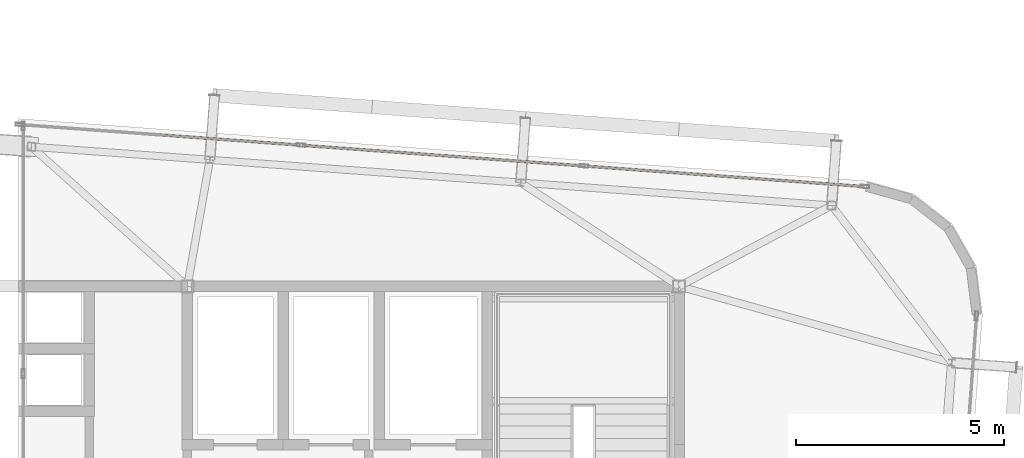
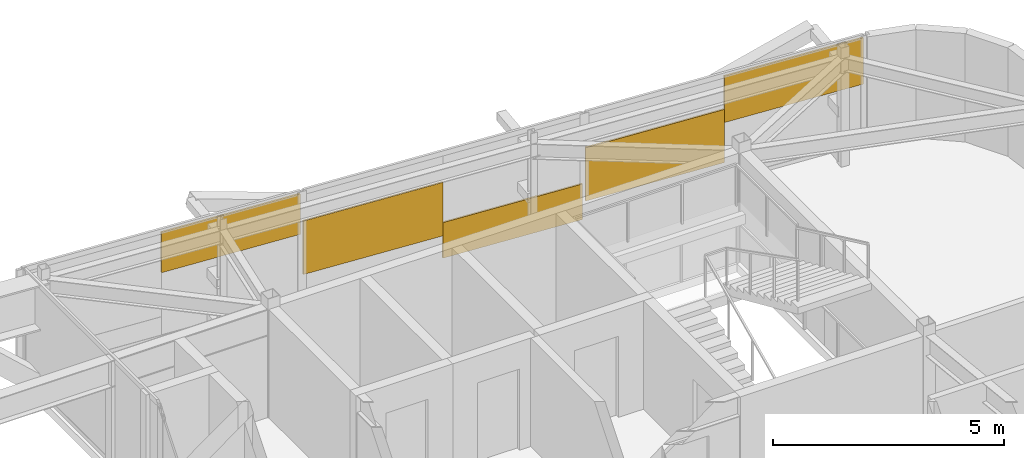
# One storey, part 40 of 40: 5 coverings.
"""IFC4 building model written with IfcOpenShell, lengths in metres."""

from ifc_helpers import new_model, si_unit, direction, frame, origin, origin_2d, place, context, subcontext, project, spatial, rectangle, extrude, source, transform, mapped, material, layer, layer_set, type_object, element, save


model = new_model("IFC4")

# Units and contexts
model_context = context("Model", 3, precision=1e-05, world=origin(), true_north=direction((0.0, 1.0)))
body_context = subcontext(model_context, "Body", "Model", "MODEL_VIEW")
ifc_project = project(units=[si_unit("LENGTHUNIT", "METRE"), si_unit("AREAUNIT", "SQUARE_METRE"), si_unit("VOLUMEUNIT", "CUBIC_METRE"), si_unit("PLANEANGLEUNIT", "RADIAN"), si_unit("MASSUNIT", "GRAM", prefix="KILO")], contexts=[model_context])

# Site, building, storey
site_placement = place(None, origin())
site = spatial("IfcSite", under=ifc_project, at=site_placement, CompositionType="ELEMENT")
building_placement = place(site_placement, origin())
building = spatial("IfcBuilding", under=site, at=building_placement, Name="Taldren Reach Tower", CompositionType="ELEMENT")
storey_placement = place(building_placement, frame((0.0, 0.0, 233.449951171875)))
storey = spatial("IfcBuildingStorey", under=building, at=storey_placement, Name="L71", CompositionType="ELEMENT", Elevation=233.449951171875)

# Coverings
ifc_material = material(Name="Pale Champagne Fluoropolymer Aluminium Spandrel Cladding", Category="aluminium")
ifc_layer = layer(ifc_material, 0.0439453125)
ifc_layer_set = layer_set([ifc_layer], Name="Pale Champagne Fluoropolymer Aluminium Spandrel Cladding")
covering_type = type_object("IfcCoveringType", Name="CV-CLAD-044", PredefinedType="CLADDING", material=ifc_layer_set)
shared_shape_1 = source(origin(), body_context, "Body", "SweptSolid", [
    extrude(rectangle(XDim=3.34375, YDim=0.0439453125, at=origin_2d()), origin(), (0.0, 0.0, 1.0), 1.22509765625),
])
covering_1_placement = place(storey_placement, frame((53.75244140625, 34.517822265625, 1.5849609375), z_axis=(0.0, 0.0, 1.0), x_axis=(-0.997314475893, 0.073238215265, 0.0)))
element("IfcCovering", 1, at=covering_1_placement, inside=storey, type_object=covering_type, Name="Diagrid closure cladding strip CW-7 panel 1.1 1", PredefinedType="CLADDING", context=body_context, shape_type="MappedRepresentation", body=[
    mapped(shared_shape_1, transform((0.0, 0.0, 0.0), scale=1.0)),
])
shared_shape_2 = source(origin(), body_context, "Body", "SweptSolid", [
    extrude(rectangle(XDim=3.34375, YDim=0.0439453125, at=origin_2d()), origin(), (0.0, 0.0, 1.0), 1.410400390625),
])
covering_2_placement = place(storey_placement, frame((50.417724609375, 34.7626953125, 0.525390625), z_axis=(0.0, 0.0, 1.0), x_axis=(-0.997314475893, 0.073238215265, 0.0)))
element("IfcCovering", 2, at=covering_2_placement, inside=storey, type_object=covering_type, Name="Diagrid closure cladding strip CW-7 panel 1.1 2", PredefinedType="CLADDING", context=body_context, shape_type="MappedRepresentation", body=[
    mapped(shared_shape_2, transform((0.0, 0.0, 0.0), scale=1.0)),
])
shared_shape_3 = source(origin(), body_context, "Body", "SweptSolid", [
    extrude(rectangle(XDim=3.3623046875, YDim=0.0439453125, at=origin_2d()), origin(), (0.0, 0.0, 1.0), 0.943603515625),
])
covering_3_placement = place(storey_placement, frame((46.9990234375, 35.013671875, 0.06005859375), z_axis=(0.0, 0.0, 1.0), x_axis=(-0.997314475893, 0.073238215265, 0.0)))
element("IfcCovering", 3, at=covering_3_placement, inside=storey, type_object=covering_type, Name="Diagrid closure cladding strip CW-7 panel 2.1 1", PredefinedType="CLADDING", context=body_context, shape_type="MappedRepresentation", body=[
    mapped(shared_shape_3, transform((0.0, 0.0, 0.0), scale=1.0)),
])
shared_shape_4 = source(origin(), body_context, "Body", "SweptSolid", [
    extrude(rectangle(XDim=3.3623046875, YDim=0.0439453125, at=origin_2d()), origin(), (0.0, 0.0, 1.0), 1.416259765625),
])
covering_4_placement = place(storey_placement, frame((43.6455078125, 35.260009765625, 0.65283203125), z_axis=(0.0, 0.0, 1.0), x_axis=(-0.997314475893, 0.073238215265, 0.0)))
element("IfcCovering", 4, at=covering_4_placement, inside=storey, type_object=covering_type, Name="Diagrid closure cladding strip CW-7 panel 2.1 2", PredefinedType="CLADDING", context=body_context, shape_type="MappedRepresentation", body=[
    mapped(shared_shape_4, transform((0.0, 0.0, 0.0), scale=1.0)),
])
shared_shape_5 = source(origin(), body_context, "Body", "SweptSolid", [
    extrude(rectangle(XDim=3.34375, YDim=0.0439453125, at=origin_2d()), origin(), (0.0, 0.0, 1.0), 1.068115234375),
])
covering_5_placement = place(storey_placement, frame((40.226806640625, 35.510986328125, 1.74169921875), z_axis=(0.0, 0.0, 1.0), x_axis=(-0.997314475893, 0.073238215265, 0.0)))
element("IfcCovering", 5, at=covering_5_placement, inside=storey, type_object=covering_type, Name="Diagrid closure cladding strip CW-7 panel 3.1 1", PredefinedType="CLADDING", context=body_context, shape_type="MappedRepresentation", body=[
    mapped(shared_shape_5, transform((0.0, 0.0, 0.0), scale=1.0)),
])

save(model, "model.ifc")
